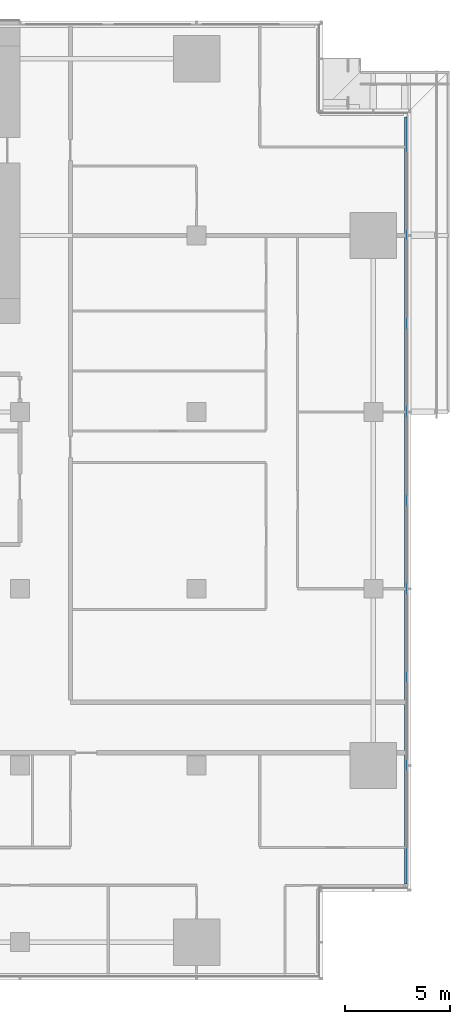
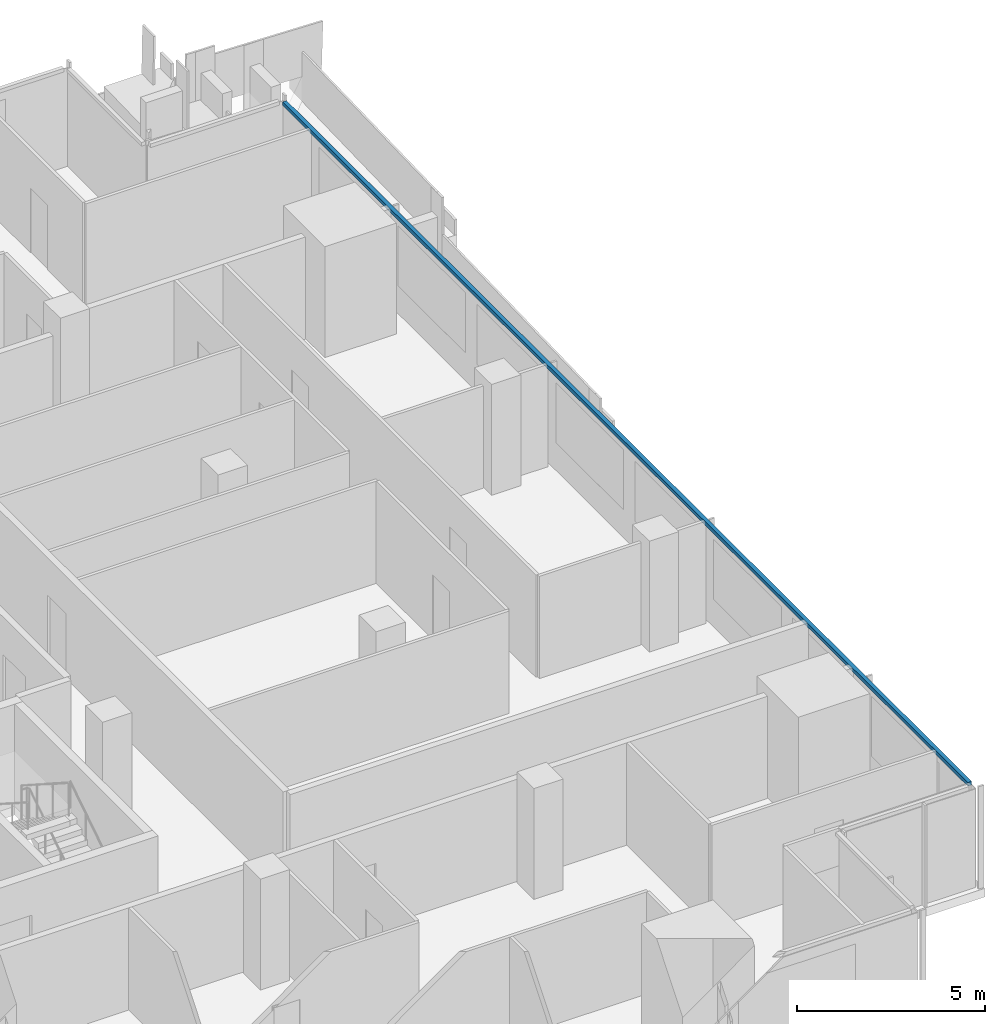
# One storey, part 12 of 27: 1 member, 1 element without a shape of its own.
"""IFC4 building model written with IfcOpenShell, lengths in metres."""

from ifc_helpers import new_model, si_unit, direction, frame, origin, origin_2d, place, context, subcontext, project, spatial, rectangle, extrude, material, material_profile, profile_set, type_object, element, aggregate, save


model = new_model("IFC4")

# Units and contexts
model_context = context("Model", 3, precision=1e-05, world=origin(), true_north=direction((0.0, 1.0)))
body_context = subcontext(model_context, "Body", "Model", "MODEL_VIEW")
ifc_project = project(units=[si_unit("LENGTHUNIT", "METRE"), si_unit("AREAUNIT", "SQUARE_METRE"), si_unit("VOLUMEUNIT", "CUBIC_METRE"), si_unit("PLANEANGLEUNIT", "RADIAN"), si_unit("MASSUNIT", "GRAM", prefix="KILO")], contexts=[model_context])

# Site, building, storey
site_placement = place(None, origin())
site = spatial("IfcSite", under=ifc_project, at=site_placement, CompositionType="ELEMENT")
building_placement = place(site_placement, origin())
building = spatial("IfcBuilding", under=site, at=building_placement, Name="Saffron Gate Tower", CompositionType="ELEMENT")
storey_placement = place(building_placement, frame((0.0, 0.0, 76.800048828125)))
storey = spatial("IfcBuildingStorey", under=building, at=storey_placement, Name="L18", CompositionType="ELEMENT", Elevation=76.800048828125)

# Curtain wall, member
ifc_material = material(Name="Aluminium, bronze anodised", Category="aluminium")
curtain_wall_type = type_object("IfcCurtainWallType", Name="CWS2 curtain wall side facades", PredefinedType="NOTDEFINED", material=ifc_material)
curtain_wall_placement = place(storey_placement, origin())
curtain_wall = element("IfcCurtainWall", 1, at=curtain_wall_placement, inside=storey, type_object=curtain_wall_type, Name="CWS2 run 4", PredefinedType="NOTDEFINED")
ifc_material_profile = material_profile(ifc_material, rectangle(XDim=0.1201171875, YDim=0.1201171875, at=origin_2d()))
ifc_profile_set = profile_set([ifc_material_profile], Name="Aluminium, bronze anodised")
member_type = type_object("IfcMemberType", Name="CWS2 head transom", PredefinedType="USERDEFINED", material=ifc_profile_set)
member_placement = place(storey_placement, frame((126.951904296875, 34.568115234375, 3.260009765625), z_axis=(0.0, 1.0, 0.0), x_axis=(-1.0, 0.0, 0.0)))
member = element("IfcMember", 2, at=member_placement, type_object=member_type, Name="CWS2 head transom", ObjectType="TRANSOM", PredefinedType="USERDEFINED", context=body_context, shape_type="SweptSolid", body=[
    extrude(rectangle(XDim=0.1201171875, YDim=0.1201171875, at=origin_2d()), origin(), (0.0, 0.0, 1.0), 36.4638671875),
])
aggregate(curtain_wall, [member])

save(model, "model.ifc")
